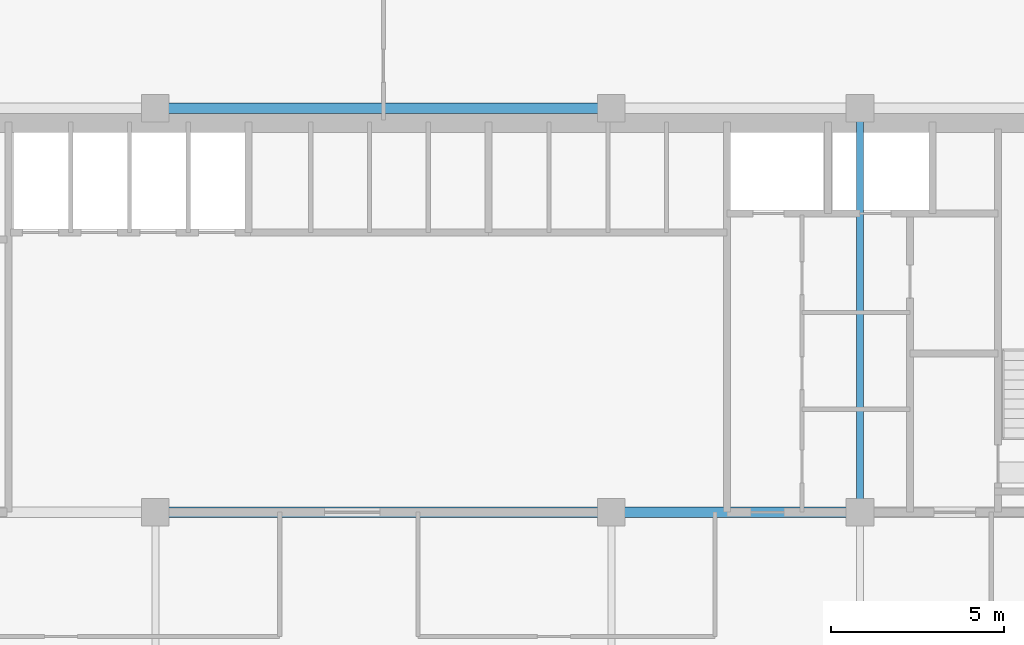
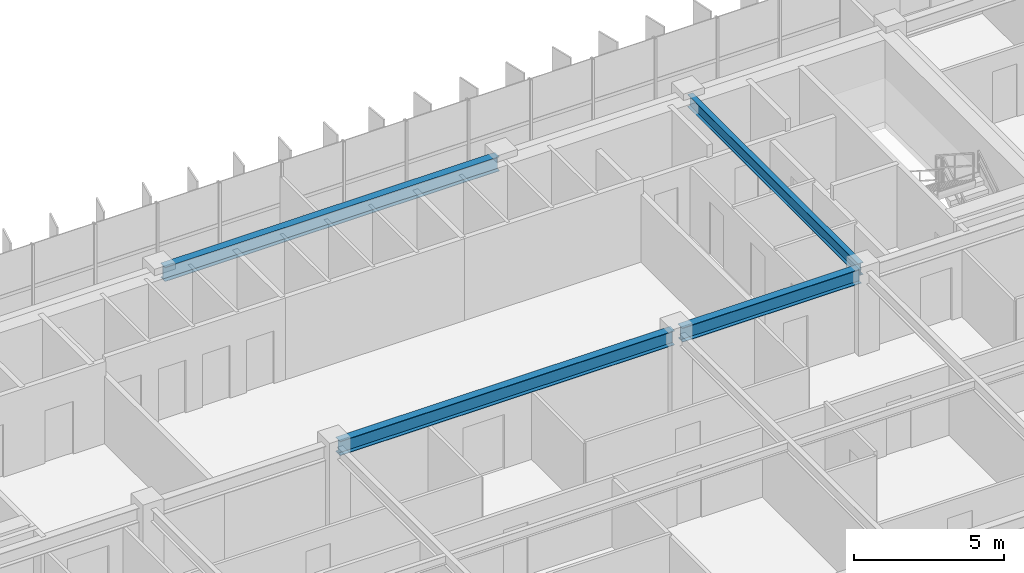
# One storey, part 12 of 26: 4 beams.
"""IFC4 building model written with IfcOpenShell, lengths in metres."""

from ifc_helpers import new_model, si_unit, direction, frame, origin, origin_2d, place, context, subcontext, project, spatial, i_section, extrude, source, transform, mapped, material, material_profile, profile_set, type_object, element, save


model = new_model("IFC4")

# Units and contexts
model_context = context("Model", 3, precision=1e-05, world=origin(), true_north=direction((0.0, 1.0)))
body_context = subcontext(model_context, "Body", "Model", "MODEL_VIEW")
ifc_project = project(units=[si_unit("LENGTHUNIT", "METRE"), si_unit("AREAUNIT", "SQUARE_METRE"), si_unit("VOLUMEUNIT", "CUBIC_METRE"), si_unit("PLANEANGLEUNIT", "RADIAN"), si_unit("MASSUNIT", "GRAM", prefix="KILO")], contexts=[model_context])

# Site, building, storey
site_placement = place(None, origin())
site = spatial("IfcSite", under=ifc_project, at=site_placement, CompositionType="ELEMENT")
building_placement = place(site_placement, origin())
building = spatial("IfcBuilding", under=site, at=building_placement, Name="Trelvane Seafront Commons", CompositionType="ELEMENT")
storey_placement = place(building_placement, frame((0.0, 0.0, 124.89990234375)))
storey = spatial("IfcBuildingStorey", under=building, at=storey_placement, Name="L32", CompositionType="ELEMENT", Elevation=124.89990234375)

# Beams
ifc_material = material(Name="Steel SM355 (S355)", Category="steel")
ifc_material_profile_1 = material_profile(ifc_material, i_section(OverallWidth=0.300048828125, OverallDepth=0.587890625, WebThickness=0.011962890625, FlangeThickness=0.02001953125, at=origin_2d()), Name="H-588x300x12x20")
ifc_profile_set_1 = profile_set([ifc_material_profile_1], Name="Steel SM355 (S355)")
beam_type_1 = type_object("IfcBeamType", Name="STR-BM-H588", PredefinedType="BEAM", material=ifc_profile_set_1)
shared_shape_1 = source(origin(), body_context, "Body", "SweptSolid", [
    extrude(i_section(OverallWidth=0.300048828125, OverallDepth=0.587890625, WebThickness=0.011962890625, FlangeThickness=0.02001953125, at=origin_2d()), origin(), (0.0, 0.0, 1.0), 12.89990234375),
])
for number, where, z_axis, x_axis, name in (
    (1, (30.75, 33.39990234375, 3.046142578125), (1.0, 0.0, 0.0), (0.0, 1.0, 0.0), "L32 Primary Girder G-23"),
    (2, (30.75, 45.10009765625, 3.046142578125), (1.0, 0.0, 0.0), (0.0, 1.0, 0.0), "L32 Primary Girder G-32"),
):
    element("IfcBeam", number, at=place(storey_placement, frame(where, z_axis=z_axis, x_axis=x_axis)), inside=storey, type_object=beam_type_1, Name=name, PredefinedType="BEAM", context=body_context, shape_type="MappedRepresentation", body=[
        mapped(shared_shape_1, transform((0.0, 0.0, 0.0), x_axis=(1.0, 0.0, 0.0), y_axis=(0.0, 1.0, 0.0), z_axis=(0.0, 0.0, 1.0), scale=1.0)),
    ])
shared_shape_2 = source(origin(), body_context, "Body", "SweptSolid", [
    extrude(i_section(OverallWidth=0.300048828125, OverallDepth=0.587890625, WebThickness=0.011962890625, FlangeThickness=0.02001953125, at=origin_2d()), origin(), (0.0, 0.0, 1.0), 6.900146484375),
])
beam_1_placement = place(storey_placement, frame((43.949951171875, 33.39990234375, 3.046142578125), z_axis=(1.0, 0.0, 0.0), x_axis=(0.0, 1.0, 0.0)))
element("IfcBeam", 3, at=beam_1_placement, inside=storey, type_object=beam_type_1, Name="L32 Primary Girder G-24", PredefinedType="BEAM", context=body_context, shape_type="MappedRepresentation", body=[
    mapped(shared_shape_2, transform((0.0, 0.0, 0.0), x_axis=(1.0, 0.0, 0.0), y_axis=(0.0, 1.0, 0.0), z_axis=(0.0, 0.0, 1.0), scale=1.0)),
])
ifc_material_profile_2 = material_profile(ifc_material, i_section(OverallWidth=0.199951171875, OverallDepth=0.5, WebThickness=0.010009765625, FlangeThickness=0.01611328125, at=origin_2d()), Name="H-500x200x10x16")
ifc_profile_set_2 = profile_set([ifc_material_profile_2], Name="Steel SM355 (S355)")
beam_type_2 = type_object("IfcBeamType", Name="STR-BM-H500", PredefinedType="BEAM", material=ifc_profile_set_2)
shared_shape_3 = source(origin(), body_context, "Body", "SweptSolid", [
    extrude(i_section(OverallWidth=0.199951171875, OverallDepth=0.5, WebThickness=0.010009765625, FlangeThickness=0.01611328125, at=origin_2d()), origin(), (0.0, 0.0, 1.0), 11.39990234375),
])
beam_2_placement = place(storey_placement, frame((51.0, 33.550048828125, 3.090087890625), z_axis=(0.0, 1.0, 0.0), x_axis=(-1.0, 0.0, 0.0)))
element("IfcBeam", 4, at=beam_2_placement, inside=storey, type_object=beam_type_2, Name="L32 Primary Girder G-57", PredefinedType="BEAM", context=body_context, shape_type="MappedRepresentation", body=[
    mapped(shared_shape_3, transform((0.0, 0.0, 0.0), x_axis=(1.0, 0.0, 0.0), y_axis=(0.0, 1.0, 0.0), z_axis=(0.0, 0.0, 1.0), scale=1.0)),
])

save(model, "model.ifc")
